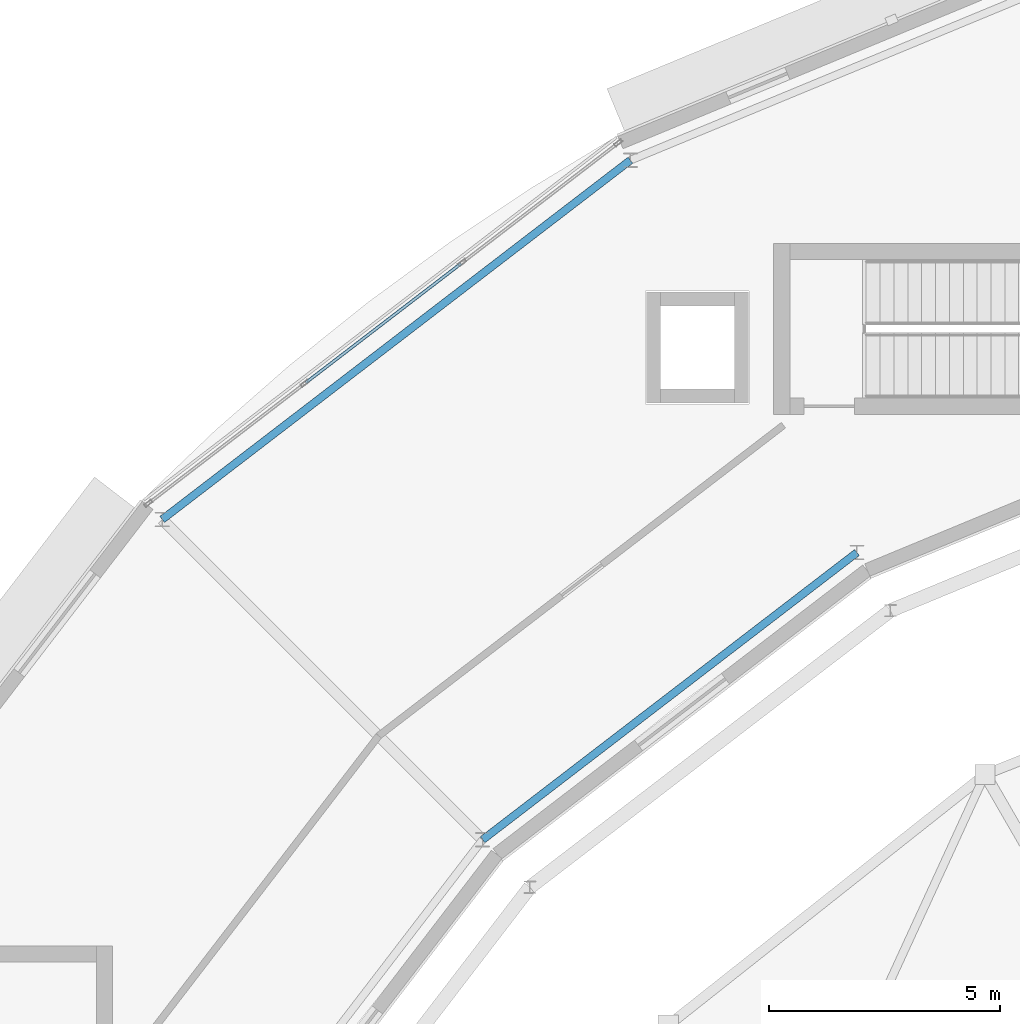
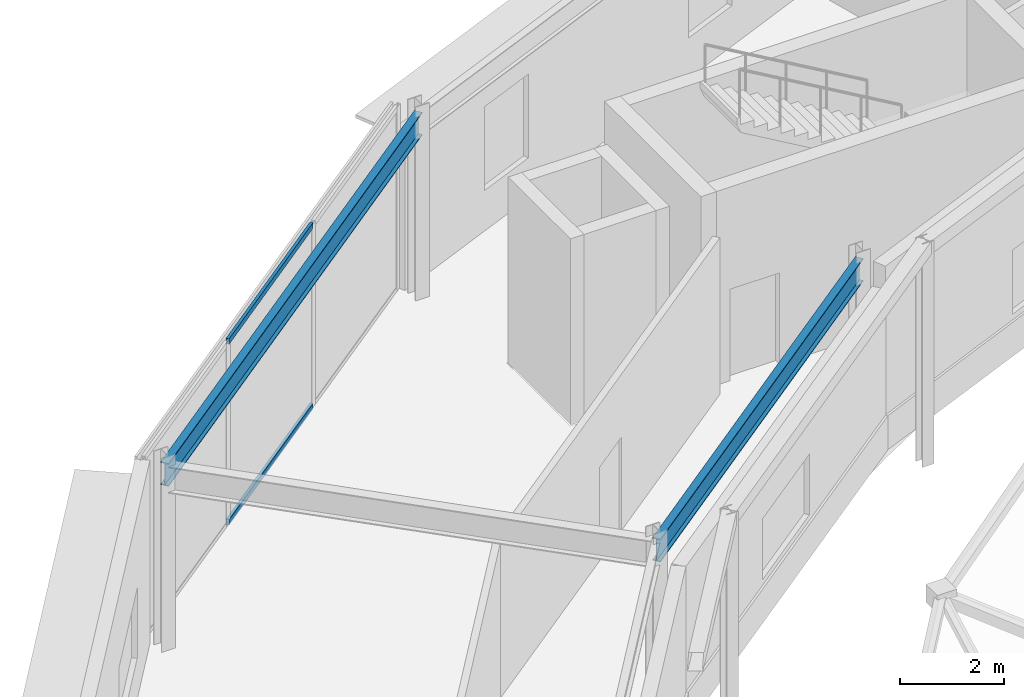
# One storey, part 31 of 89: 2 beams, 2 members, 1 element without a shape of its own.
"""IFC4 building model written with IfcOpenShell, lengths in metres."""

import ifcopenshell
import ifcopenshell.guid

model = None  # the IFC model being written
_history = None  # IfcOwnerHistory: only IFC2X3 demands one
_inside = {}  # id of a spatial element -> (the spatial element, [elements in it])
_under = {}  # id of a project, library or spatial element -> (it, [spatial elements below it])
_declared = {}  # id of a project -> (the project, [libraries it declares])
_typed = {}  # id of a type object -> (the type object, [elements of that type])
_made_of = {}  # id of a material, layer set ... -> (it, [elements and type objects made of it])


def new_model(schema):
    """Start an empty IFC model of exactly this schema.

    Asked for "IFC4X3", IfcOpenShell would pick the latest addendum, in which some entities
    have other attributes; the version numbers below select the first issue.
    IFC2X3 requires an IfcOwnerHistory on every rooted entity: one is made here for all.
    """
    global model, _history
    if schema == "IFC4X3":
        model = ifcopenshell.file(schema_version=(4, 3, 0, 0))
    else:
        model = ifcopenshell.file(schema=schema)
    _inside.clear()
    _under.clear()
    _declared.clear()
    _typed.clear()
    _made_of.clear()
    _history = None
    if model.schema == "IFC2X3":
        org = make("IfcOrganization", Name="unknown")
        user = make(
            "IfcPersonAndOrganization",
            ThePerson=make("IfcPerson", FamilyName="unknown"),
            TheOrganization=org,
        )
        app = make(
            "IfcApplication",
            ApplicationDeveloper=org,
            Version="unknown",
            ApplicationFullName="unknown",
            ApplicationIdentifier="unknown",
        )
        _history = make(
            "IfcOwnerHistory",
            OwningUser=user,
            OwningApplication=app,
            ChangeAction="ADDED",
            CreationDate=0,
        )
    return model


def make(cls, **values):
    """One entity of the class cls with the attributes given. An attribute that is None is left unset."""
    return model.create_entity(
        cls, **{name: value for name, value in values.items() if value is not None}
    )


def rooted(cls, **values):
    """An entity with a GlobalId (a new one), such as an element, a storey or a relation."""
    return make(cls, GlobalId=ifcopenshell.guid.new(), OwnerHistory=_history, **values)


def si_unit(unit_type, name, prefix=None):
    """IfcSIUnit, for example si_unit("LENGTHUNIT", "METRE", prefix="MILLI")."""
    return make("IfcSIUnit", UnitType=unit_type, Prefix=prefix, Name=name)


def assignment(units):
    """IfcUnitAssignment: the units of a project."""
    return None if units is None else make("IfcUnitAssignment", Units=units)


def point(xyz):
    """IfcCartesianPoint."""
    return None if xyz is None else make("IfcCartesianPoint", Coordinates=xyz)


def direction(xyz):
    """IfcDirection."""
    return None if xyz is None else make("IfcDirection", DirectionRatios=xyz)


def frame(location, z_axis=None, x_axis=None):
    """IfcAxis2Placement3D, a coordinate frame: its origin and axes. An axis left out is left unset."""
    return make(
        "IfcAxis2Placement3D",
        Location=point(location),
        Axis=direction(z_axis),
        RefDirection=direction(x_axis),
    )


def frame_2d(location, x_axis=None):
    """IfcAxis2Placement2D, a coordinate frame in the plane: its origin and x axis."""
    return make(
        "IfcAxis2Placement2D", Location=point(location), RefDirection=direction(x_axis)
    )


def origin():
    """The frame at (0, 0, 0) with its axes left unset."""
    return frame((0.0, 0.0, 0.0))


def origin_2d():
    """The frame at (0, 0) in the plane with its x axis left unset."""
    return frame_2d((0.0, 0.0))


def place(relative_to, where):
    """IfcLocalPlacement: puts the frame where relative to a parent placement (None: the world)."""
    return make(
        "IfcLocalPlacement", PlacementRelTo=relative_to, RelativePlacement=where
    )


def context(
    kind, dimensions, precision=None, world=None, true_north=None, identifier=None
):
    """IfcGeometricRepresentationContext, for example the 3D "Model" context."""
    return make(
        "IfcGeometricRepresentationContext",
        ContextIdentifier=identifier,
        ContextType=kind,
        CoordinateSpaceDimension=dimensions,
        Precision=precision,
        WorldCoordinateSystem=world,
        TrueNorth=true_north,
    )


def subcontext(parent, identifier, kind, view, scale=None):
    """IfcGeometricRepresentationSubContext, for example "Body" below "Model"."""
    return make(
        "IfcGeometricRepresentationSubContext",
        ContextIdentifier=identifier,
        ContextType=kind,
        ParentContext=parent,
        TargetScale=scale,
        TargetView=view,
    )


def project(units=None, contexts=None):
    """IfcProject with its units and contexts."""
    return rooted(
        "IfcProject",
        Name="project",
        RepresentationContexts=contexts,
        UnitsInContext=assignment(units),
    )


def spatial(cls, under=None, at=None, **own):
    """A site, building, storey or space (cls), placed at a placement, below another one or the project."""
    s = rooted(cls, ObjectPlacement=at, **own)
    if under is not None:
        _under.setdefault(under.id(), (under, []))[1].append(s)
    return s


def profile(cls, at=None, kind="AREA", **sizes):
    """A parametric profile (cls). Its sizes go by their IFC names, for example OverallWidth=200.0."""
    return make(cls, ProfileType=kind, Position=at, **sizes)


def hollow_rectangle(**sizes):
    """IfcRectangleHollowProfileDef."""
    return profile("IfcRectangleHollowProfileDef", **sizes)


def i_section(**sizes):
    """IfcIShapeProfileDef."""
    return profile("IfcIShapeProfileDef", **sizes)


def extrude(swept, where, along, depth):
    """IfcExtrudedAreaSolid: the profile swept, set in the frame where, extruded along a direction by depth."""
    return make(
        "IfcExtrudedAreaSolid",
        SweptArea=swept,
        Position=where,
        ExtrudedDirection=direction(along),
        Depth=depth,
    )


def shape(context_of_items, identifier, shape_type, items):
    """IfcShapeRepresentation: the items that make up one representation, for example the "Body"."""
    return make(
        "IfcShapeRepresentation",
        ContextOfItems=context_of_items,
        RepresentationIdentifier=identifier,
        RepresentationType=shape_type,
        Items=items,
    )


def material(Name=None, Category=None):
    """IfcMaterial."""
    return make("IfcMaterial", Name=Name, Category=Category)


def material_profile(
    of_material, cross_section, Name=None, Category=None, Priority=None
):
    """IfcMaterialProfile: a cross section and its material."""
    return make(
        "IfcMaterialProfile",
        Name=Name,
        Material=of_material,
        Profile=cross_section,
        Priority=Priority,
        Category=Category,
    )


def profile_set(profiles, Name=None, composite=None):
    """IfcMaterialProfileSet."""
    return make(
        "IfcMaterialProfileSet",
        Name=Name,
        MaterialProfiles=profiles,
        CompositeProfile=composite,
    )


def made_of(thing, what):
    """Note that an element or type object is made of a material, layer set ...; save() writes the relation."""
    if what is not None:
        _made_of.setdefault(what.id(), (what, []))[1].append(thing)
    return thing


def type_object(cls, material=None, **own):
    """A type object (cls), such as IfcWallType, which elements share."""
    return made_of(rooted(cls, **own), material)


def element(
    cls,
    number,
    at=None,
    inside=None,
    cuts=None,
    type_object=None,
    material=None,
    context=None,
    identifier="Body",
    shape_type=None,
    held_by="IfcProductDefinitionShape",
    body=None,
    shapes=None,
    **own,
):
    """One element of the class cls, such as IfcWall. Its Tag is "e" and its number.

    at: its placement. inside: the storey or other place that contains it. cuts: it is an
    opening in that element (IfcRelVoidsElement). A single representation is given by context,
    identifier, shape_type and body (its items); several are given by shapes. held_by: the class
    of the entity that holds the representations. save() writes the other relations.
    """
    e = rooted(cls, Tag="e%d" % number, ObjectPlacement=at, **own)
    if body is not None:
        shapes = [shape(context, identifier, shape_type, body)]
    if shapes is not None:
        e.Representation = make(held_by, Representations=shapes)
    if inside is not None:
        _inside.setdefault(inside.id(), (inside, []))[1].append(e)
    if cuts is not None:
        rooted(
            "IfcRelVoidsElement", RelatingBuildingElement=cuts, RelatedOpeningElement=e
        )
    if type_object is not None:
        _typed.setdefault(type_object.id(), (type_object, []))[1].append(e)
    return made_of(e, material)


def aggregate(whole, parts):
    """IfcRelAggregates: a whole, such as a stair, and the parts it consists of."""
    return rooted("IfcRelAggregates", RelatingObject=whole, RelatedObjects=parts)


def save(model, path):
    """Write the relations noted so far, then the file.

    IfcRelAggregates (storeys below a building ...), IfcRelContainedInSpatialStructure (elements
    in a storey), IfcRelDefinesByType, IfcRelAssociatesMaterial and IfcRelDeclares: one each for
    every whole, place, type object, material and project.
    """
    for whole, parts in _under.values():
        aggregate(whole, parts)
    for where, things in _inside.values():
        rooted(
            "IfcRelContainedInSpatialStructure",
            RelatedElements=things,
            RelatingStructure=where,
        )
    for kind, things in _typed.values():
        rooted("IfcRelDefinesByType", RelatedObjects=things, RelatingType=kind)
    for what, things in _made_of.values():
        rooted("IfcRelAssociatesMaterial", RelatedObjects=things, RelatingMaterial=what)
    for by, libraries in _declared.values():
        rooted("IfcRelDeclares", RelatingContext=by, RelatedDefinitions=libraries)
    model.write(path)


model = new_model("IFC4")

# Units and contexts
model_context = context("Model", 3, precision=1e-05, world=origin(), true_north=direction((0.0, 1.0)))
body_context = subcontext(model_context, "Body", "Model", "MODEL_VIEW")
ifc_project = project(units=[si_unit("LENGTHUNIT", "METRE"), si_unit("AREAUNIT", "SQUARE_METRE"), si_unit("VOLUMEUNIT", "CUBIC_METRE"), si_unit("PLANEANGLEUNIT", "RADIAN"), si_unit("MASSUNIT", "GRAM", prefix="KILO")], contexts=[model_context])

# Site, building, storey
site_placement = place(None, origin())
site = spatial("IfcSite", under=ifc_project, at=site_placement, CompositionType="ELEMENT")
building_placement = place(site_placement, origin())
building = spatial("IfcBuilding", under=site, at=building_placement, Name="Almandine Court Research Institute", CompositionType="ELEMENT")
storey_placement = place(building_placement, frame((0.0, 0.0, 18.89990234375)))
storey = spatial("IfcBuildingStorey", under=building, at=storey_placement, Name="L04", CompositionType="ELEMENT", Elevation=18.89990234375)

# Beams
ifc_material_1 = material(Name="Steel ASTM A992 Grade 50", Category="steel")
ifc_material_profile_1 = material_profile(ifc_material_1, i_section(OverallWidth=0.166015625, OverallDepth=0.534912109375, WebThickness=0.010009765625, FlangeThickness=0.01708984375, at=origin_2d()), Name="W530x85")
ifc_profile_set_1 = profile_set([ifc_material_profile_1], Name="Steel ASTM A992 Grade 50")
beam_type = type_object("IfcBeamType", Name="Beam-G-05-E", PredefinedType="SPANDREL", material=ifc_profile_set_1)
beam_1_placement = place(storey_placement, frame((67.449951171875, 89.862060546875, 4.041015625), z_axis=(-0.793335653042, -0.608784478787, 0.0), x_axis=(0.608784478787, -0.793335653042, 0.0)))
element("IfcBeam", 1, at=beam_1_placement, inside=storey, type_object=beam_type, Name="L04 Drum IN Ring Beam 08", PredefinedType="SPANDREL", context=body_context, shape_type="SweptSolid", body=[
    extrude(i_section(OverallWidth=0.166015625, OverallDepth=0.534912109375, WebThickness=0.010009765625, FlangeThickness=0.01708984375, at=origin_2d()), origin(), (0.0, 0.0, 1.0), 10.20751953125),
])
beam_2_placement = place(storey_placement, frame((62.550048828125, 98.34912109375, 4.041015625), z_axis=(-0.793360662587, -0.608751886289, 0.0), x_axis=(0.608751886289, -0.793360662587, 0.0)))
element("IfcBeam", 2, at=beam_2_placement, inside=storey, type_object=beam_type, Name="L04 Drum OUT Ring Beam 08", PredefinedType="SPANDREL", context=body_context, shape_type="SweptSolid", body=[
    extrude(i_section(OverallWidth=0.166015625, OverallDepth=0.534912109375, WebThickness=0.010009765625, FlangeThickness=0.01708984375, at=origin_2d()), origin(), (0.0, 0.0, 1.0), 12.765869140625),
])

# Curtain wall, members
ifc_material_2 = material(Name="Unitised Curtain Wall Framing and Solar Glazing", Category="glass")
curtain_wall_type = type_object("IfcCurtainWallType", Name="CW-CWJ-21", PredefinedType="USERDEFINED", material=ifc_material_2)
curtain_wall_placement = place(storey_placement, origin())
curtain_wall = element("IfcCurtainWall", 3, at=curtain_wall_placement, inside=storey, type_object=curtain_wall_type, Name="L04 Stacked-Ring Drum Outer Solar Jali Screen 08", ObjectType="SOLAR JALI SCREEN", PredefinedType="USERDEFINED")
ifc_material_3 = material(Name="Anodised Aluminium AW-6063-T6", Category="aluminium")
ifc_material_profile_2 = material_profile(ifc_material_3, hollow_rectangle(XDim=0.06494140625, YDim=0.1298828125, WallThickness=0.00390625, at=origin_2d()), Name="ALU RHS 65x130x4")
ifc_profile_set_2 = profile_set([ifc_material_profile_2], Name="Anodised Aluminium AW-6063-T6")
member_type = type_object("IfcMemberType", Name="CWTrn-65x130", PredefinedType="NOTDEFINED", material=ifc_profile_set_2)
member_1_placement = place(storey_placement, frame((55.531494140625, 93.538818359375, 0.03271484375), z_axis=(0.793368349931, 0.608741867566, 0.0), x_axis=(-0.608741867566, 0.793368349931, 0.0)))
member_1 = element("IfcMember", 4, at=member_1_placement, type_object=member_type, Name="CWJ-21 transom 2.1", ObjectType="TRANSOM", PredefinedType="USERDEFINED", context=body_context, shape_type="SweptSolid", body=[
    extrude(hollow_rectangle(XDim=0.06494140625, YDim=0.1298828125, WallThickness=0.00390625, at=origin_2d()), origin(), (0.0, 0.0, 1.0), 4.2275390625),
])
member_2_placement = place(storey_placement, frame((55.531494140625, 93.538818359375, 4.277587890625), z_axis=(0.793368349931, 0.608741867566, 0.0), x_axis=(-0.608741867566, 0.793368349931, 0.0)))
member_2 = element("IfcMember", 5, at=member_2_placement, type_object=member_type, Name="CWJ-21 transom 2.2", ObjectType="TRANSOM", PredefinedType="USERDEFINED", context=body_context, shape_type="SweptSolid", body=[
    extrude(hollow_rectangle(XDim=0.06494140625, YDim=0.1298828125, WallThickness=0.00390625, at=origin_2d()), origin(), (0.0, 0.0, 1.0), 4.2275390625),
])
aggregate(curtain_wall, [member_1, member_2])

save(model, "model.ifc")
